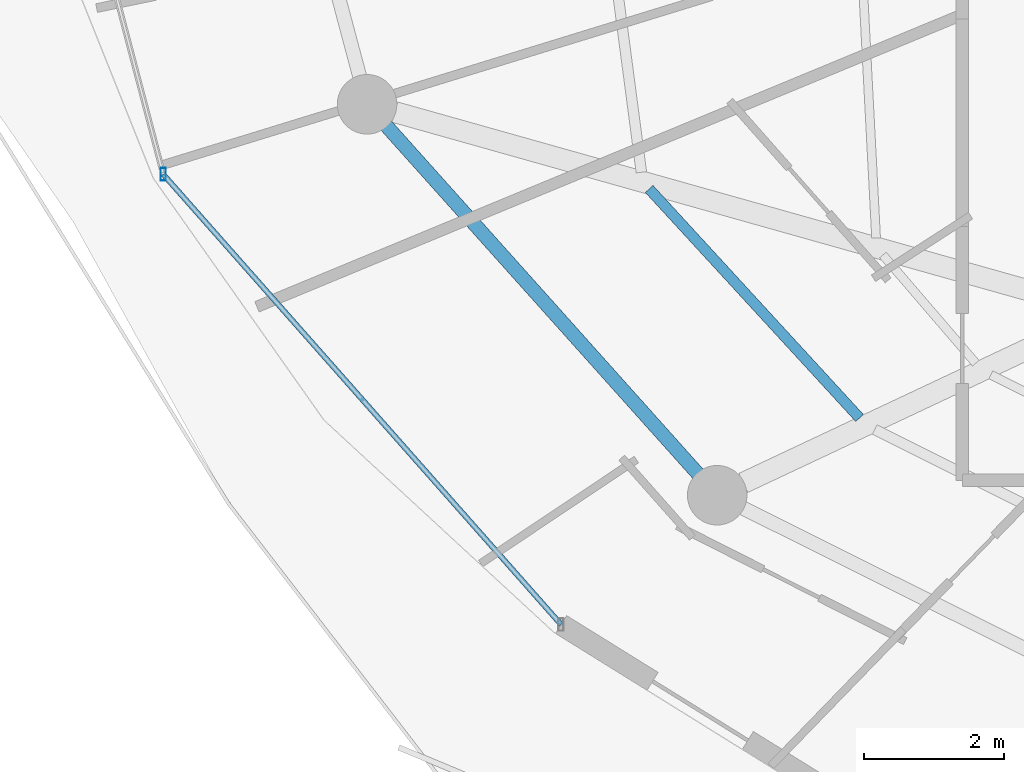
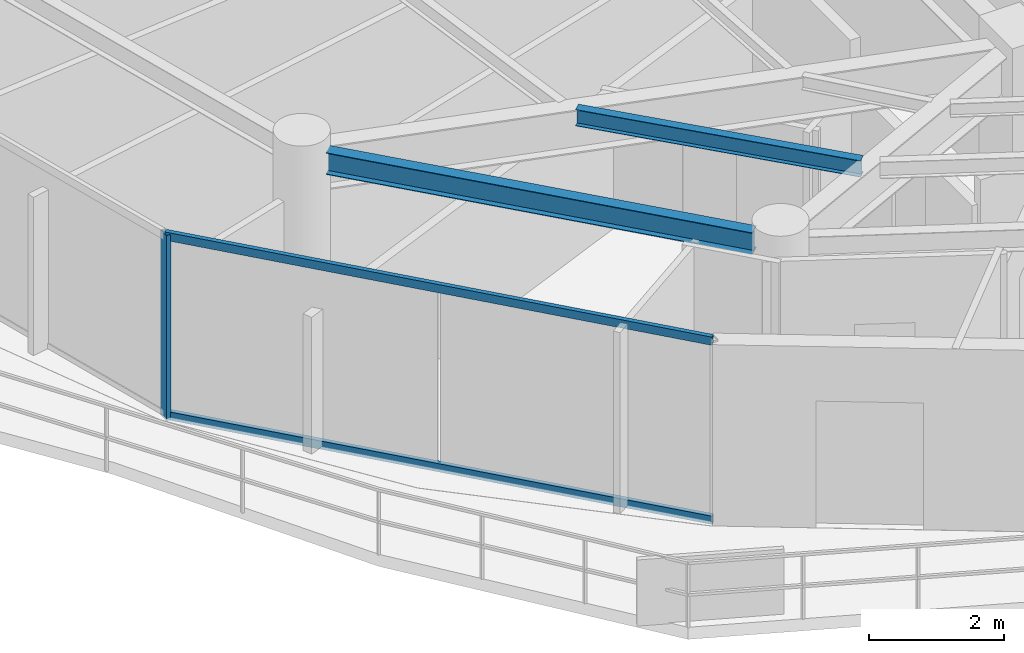
# One storey, part 3 of 31: 3 members, 2 beams, 1 element without a shape of its own.
"""IFC4 building model written with IfcOpenShell, lengths in metres."""

from ifc_helpers import new_model, si_unit, direction, frame, origin, origin_2d, place, context, subcontext, project, spatial, hollow_rectangle, i_section, extrude, material, material_profile, profile_set, type_object, element, aggregate, save


model = new_model("IFC4")

# Units and contexts
model_context = context("Model", 3, precision=1e-05, world=origin(), true_north=direction((0.0, 1.0)))
body_context = subcontext(model_context, "Body", "Model", "MODEL_VIEW")
ifc_project = project(units=[si_unit("LENGTHUNIT", "METRE"), si_unit("AREAUNIT", "SQUARE_METRE"), si_unit("VOLUMEUNIT", "CUBIC_METRE"), si_unit("PLANEANGLEUNIT", "RADIAN"), si_unit("MASSUNIT", "GRAM", prefix="KILO")], contexts=[model_context])

# Site, building, storey
site_placement = place(None, origin())
site = spatial("IfcSite", under=ifc_project, at=site_placement, CompositionType="ELEMENT")
building_placement = place(site_placement, origin())
building = spatial("IfcBuilding", under=site, at=building_placement, Name="Vorneva Point Tower", CompositionType="ELEMENT")
storey_placement = place(building_placement, frame((0.0, 0.0, 248.449951171875)))
storey = spatial("IfcBuildingStorey", under=building, at=storey_placement, Name="L67", CompositionType="ELEMENT", Elevation=248.449951171875)

# Beams
ifc_material_1 = material(Name="Steel S355", Category="steel")
ifc_material_profile_1 = material_profile(ifc_material_1, i_section(OverallWidth=0.14892578125, OverallDepth=0.298095703125, WebThickness=0.005615234375, FlangeThickness=0.008056640625, at=origin_2d()), Name="30B1")
ifc_profile_set_1 = profile_set([ifc_material_profile_1], Name="Steel S355")
beam_type_1 = type_object("IfcBeamType", Name="BM-JST-30B1", PredefinedType="JOIST", material=ifc_profile_set_1)
beam_1_placement = place(storey_placement, frame((20.73095703125, 18.209228515625, 3.14111328125), z_axis=(0.676496329172, -0.736446003871, 0.0), x_axis=(0.736446003871, 0.676496329172, 0.0)))
element("IfcBeam", 1, at=beam_1_placement, inside=storey, type_object=beam_type_1, Name="L67 Secondary Floor Beam 1.10", PredefinedType="JOIST", context=body_context, shape_type="SweptSolid", body=[
    extrude(i_section(OverallWidth=0.14892578125, OverallDepth=0.298095703125, WebThickness=0.005615234375, FlangeThickness=0.008056640625, at=origin_2d()), origin(), (0.0, 0.0, 1.0), 4.43896484375),
])
ifc_material_profile_2 = material_profile(ifc_material_1, i_section(OverallWidth=0.198974609375, OverallDepth=0.39599609375, WebThickness=0.007080078125, FlangeThickness=0.010986328125, at=origin_2d()), Name="40B1")
ifc_profile_set_2 = profile_set([ifc_material_profile_2], Name="Steel S355")
beam_type_2 = type_object("IfcBeamType", Name="BM-SPN-40B1", PredefinedType="SPANDREL", material=ifc_profile_set_2)
beam_2_placement = place(storey_placement, frame((16.97802734375, 19.1123046875, 3.092041015625), z_axis=(0.667108282638, -0.744960763554, 0.0), x_axis=(0.744960763554, 0.667108282638, 0.0)))
element("IfcBeam", 2, at=beam_2_placement, inside=storey, type_object=beam_type_2, Name="L67 Perimeter Spandrel Ring Beam 10", PredefinedType="SPANDREL", context=body_context, shape_type="SweptSolid", body=[
    extrude(i_section(OverallWidth=0.198974609375, OverallDepth=0.39599609375, WebThickness=0.007080078125, FlangeThickness=0.010986328125, at=origin_2d()), origin(), (0.0, 0.0, 1.0), 6.670166015625),
])

# Curtain wall, members
ifc_material_2 = material(Name="Pale anodised aluminium", Category="aluminium")
curtain_wall_type = type_object("IfcCurtainWallType", Name="CW-RES-SYS", PredefinedType="NOTDEFINED", material=ifc_material_2)
curtain_wall_placement = place(storey_placement, origin())
curtain_wall = element("IfcCurtainWall", 3, at=curtain_wall_placement, inside=storey, type_object=curtain_wall_type, Name="L67 Unitised Curtain Wall CW-L67-R03", PredefinedType="NOTDEFINED")
ifc_material_profile_3 = material_profile(ifc_material_2, hollow_rectangle(XDim=0.074951171875, YDim=0.179931640625, WallThickness=0.00390625, at=origin_2d()), Name="AL-MUL 180x75x4")
ifc_profile_set_3 = profile_set([ifc_material_profile_3], Name="Pale anodised aluminium")
member_type_1 = type_object("IfcMemberType", Name="CW-MUL-180", PredefinedType="MULLION", material=ifc_profile_set_3)
member_1_placement = place(storey_placement, frame((13.79443359375, 18.4189453125, -0.0400390625), z_axis=(0.0, 0.0, 1.0), x_axis=(1.0, 0.0, 0.0)))
member_1 = element("IfcMember", 4, at=member_1_placement, type_object=member_type_1, Name="CW-L67-R03 Mullion 04", PredefinedType="MULLION", context=body_context, shape_type="SweptSolid", body=[
    extrude(hollow_rectangle(XDim=0.074951171875, YDim=0.179931640625, WallThickness=0.00390625, at=origin_2d()), origin(), (0.0, 0.0, 1.0), 3.360107421875),
])
ifc_material_profile_4 = material_profile(ifc_material_2, hollow_rectangle(XDim=0.074951171875, YDim=0.14990234375, WallThickness=0.00390625, at=origin_2d()), Name="AL-TRN 150x75x4")
ifc_profile_set_4 = profile_set([ifc_material_profile_4], Name="Pale anodised aluminium")
member_type_2 = type_object("IfcMemberType", Name="CW-TRN-150", PredefinedType="USERDEFINED", material=ifc_profile_set_4)
member_2_placement = place(storey_placement, frame((13.79443359375, 18.4189453125, 0.02001953125), z_axis=(0.662196681357, -0.74933007093, 0.0), x_axis=(0.74933007093, 0.662196681357, 0.0)))
member_2 = element("IfcMember", 5, at=member_2_placement, type_object=member_type_2, Name="CW-L67-R03 Transom 04.1", ObjectType="TRANSOM", PredefinedType="USERDEFINED", context=body_context, shape_type="SweptSolid", body=[
    extrude(hollow_rectangle(XDim=0.074951171875, YDim=0.14990234375, WallThickness=0.00390625, at=origin_2d()), origin(), (0.0, 0.0, 1.0), 8.57666015625),
])
member_3_placement = place(storey_placement, frame((13.79443359375, 18.4189453125, 3.27001953125), z_axis=(0.662196681357, -0.74933007093, 0.0), x_axis=(0.74933007093, 0.662196681357, 0.0)))
member_3 = element("IfcMember", 6, at=member_3_placement, type_object=member_type_2, Name="CW-L67-R03 Transom 04.2", ObjectType="TRANSOM", PredefinedType="USERDEFINED", context=body_context, shape_type="SweptSolid", body=[
    extrude(hollow_rectangle(XDim=0.074951171875, YDim=0.14990234375, WallThickness=0.00390625, at=origin_2d()), origin(), (0.0, 0.0, 1.0), 8.57666015625),
])
aggregate(curtain_wall, [member_1, member_2, member_3])

save(model, "model.ifc")
